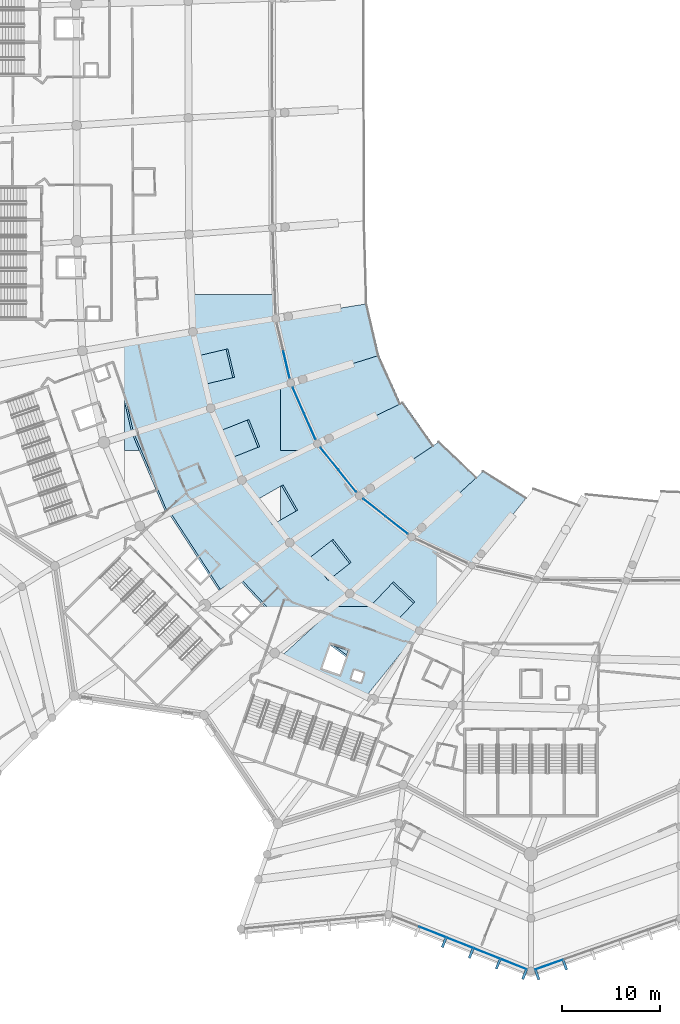
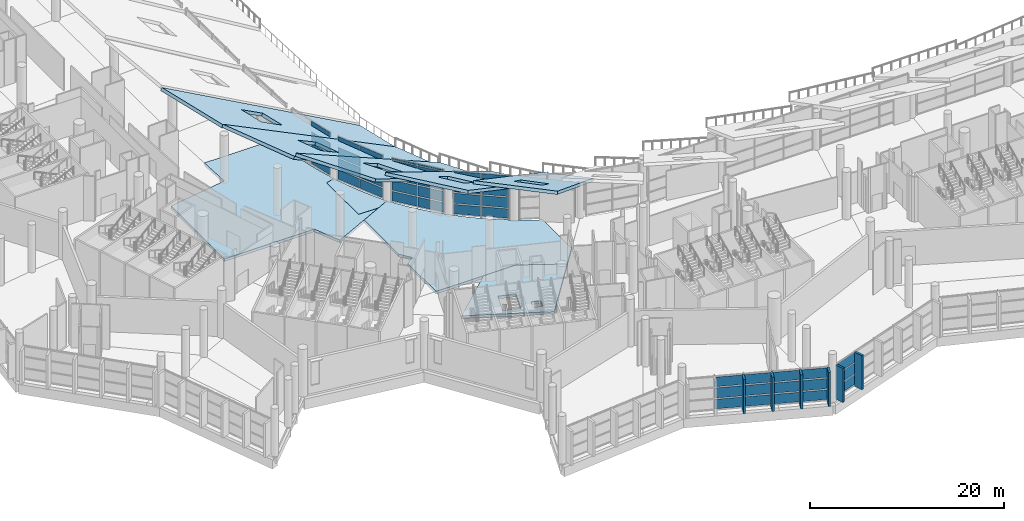
# One storey, part 99 of 249: 47 plates, 9 slabs, 6 elements without a shape of their own.
"""IFC4 building model written with IfcOpenShell, lengths in metres."""

from ifc_helpers import new_model, si_unit, direction, frame, origin, origin_2d, place, context, subcontext, project, spatial, polyline, rectangle, outline, extrude, material, layer, layer_set, type_object, element, aggregate, save


model = new_model("IFC4")

# Units and contexts
model_context = context("Model", 3, precision=1e-05, world=origin(), true_north=direction((0.0, 1.0)))
body_context = subcontext(model_context, "Body", "Model", "MODEL_VIEW")
ifc_project = project(units=[si_unit("LENGTHUNIT", "METRE"), si_unit("AREAUNIT", "SQUARE_METRE"), si_unit("VOLUMEUNIT", "CUBIC_METRE"), si_unit("PLANEANGLEUNIT", "RADIAN"), si_unit("MASSUNIT", "GRAM", prefix="KILO")], contexts=[model_context])

# Site, building, storey
site_placement = place(None, origin())
site = spatial("IfcSite", under=ifc_project, at=site_placement, CompositionType="ELEMENT")
building_placement = place(site_placement, origin())
building = spatial("IfcBuilding", under=site, at=building_placement, Name="Meseta Stadium", CompositionType="ELEMENT")
storey_placement = place(building_placement, frame((0.0, 0.0, 12.0)))
storey = spatial("IfcBuildingStorey", under=building, at=storey_placement, Name="L02", CompositionType="ELEMENT", Elevation=12.0)

# Curtain wall, plates
ifc_material_1 = material(Name="Aluminium", Category="aluminium")
ifc_layer_1 = layer(ifc_material_1, 0.199951171875)
ifc_layer_set_1 = layer_set([ifc_layer_1], Name="Suite glazing curtain wall")
curtain_wall_type_1 = type_object("IfcCurtainWallType", Name="Suite glazing curtain wall", PredefinedType="NOTDEFINED", material=ifc_layer_set_1)
curtain_wall_1_placement = place(storey_placement, origin())
curtain_wall_1 = element("IfcCurtainWall", 1, at=curtain_wall_1_placement, inside=storey, type_object=curtain_wall_type_1, Name="Suite glazing bay 37", PredefinedType="NOTDEFINED")
ifc_material_2 = material(Name="Glass", Category="glass")
ifc_layer_2 = layer(ifc_material_2, 0.035888671875)
ifc_layer_set_2 = layer_set([ifc_layer_2], Name="CW glass panel 36")
plate_type_1 = type_object("IfcPlateType", Name="CW glass panel 36", PredefinedType="CURTAIN_PANEL", material=ifc_layer_set_2)
plate_1_placement = place(storey_placement, frame((-63.40576171875, -55.19970703125, 0.14990234375), z_axis=(0.0, 0.0, 1.0), x_axis=(0.226148413492, -0.974092857522, 0.0)))
plate_1 = element("IfcPlate", 2, at=plate_1_placement, type_object=plate_type_1, Name="CWS panel 2.1", PredefinedType="CURTAIN_PANEL", context=body_context, shape_type="SweptSolid", body=[
    extrude(rectangle(XDim=2.830322265625, YDim=0.035888671875, at=origin_2d()), origin(), (0.0, 0.0, 1.0), 1.1875),
])
plate_2_placement = place(storey_placement, frame((-63.40576171875, -55.19970703125, 1.4873046875), z_axis=(0.0, 0.0, 1.0), x_axis=(0.226148413492, -0.974092857522, 0.0)))
plate_2 = element("IfcPlate", 3, at=plate_2_placement, type_object=plate_type_1, Name="CWS panel 2.2", PredefinedType="CURTAIN_PANEL", context=body_context, shape_type="SweptSolid", body=[
    extrude(rectangle(XDim=2.830322265625, YDim=0.035888671875, at=origin_2d()), origin(), (0.0, 0.0, 1.0), 1.262451171875),
])
plate_3_placement = place(storey_placement, frame((-63.40576171875, -55.19970703125, 2.89990234375), z_axis=(0.0, 0.0, 1.0), x_axis=(0.226148413492, -0.974092857522, 0.0)))
plate_3 = element("IfcPlate", 4, at=plate_3_placement, type_object=plate_type_1, Name="CWS panel 2.3", PredefinedType="CURTAIN_PANEL", context=body_context, shape_type="SweptSolid", body=[
    extrude(rectangle(XDim=2.830322265625, YDim=0.035888671875, at=origin_2d()), origin(), (0.0, 0.0, 1.0), 1.262451171875),
])
plate_4_placement = place(storey_placement, frame((-63.40576171875, -55.19970703125, 4.3125), z_axis=(0.0, 0.0, 1.0), x_axis=(0.226148413492, -0.974092857522, 0.0)))
plate_4 = element("IfcPlate", 5, at=plate_4_placement, type_object=plate_type_1, Name="CWS panel 2.4", PredefinedType="CURTAIN_PANEL", context=body_context, shape_type="SweptSolid", body=[
    extrude(rectangle(XDim=2.830322265625, YDim=0.035888671875, at=origin_2d()), origin(), (0.0, 0.0, 1.0), 1.1875),
])
aggregate(curtain_wall_1, [plate_1, plate_2, plate_3, plate_4])

curtain_wall_2_placement = place(storey_placement, origin())
curtain_wall_2 = element("IfcCurtainWall", 6, at=curtain_wall_2_placement, inside=storey, type_object=curtain_wall_type_1, Name="Suite glazing bay 38", PredefinedType="NOTDEFINED")
plate_5_placement = place(storey_placement, frame((-62.1748046875, -58.895751953125, 0.14990234375), z_axis=(0.0, 0.0, 1.0), x_axis=(0.402983317466, -0.915207323968, 0.0)))
plate_5 = element("IfcPlate", 7, at=plate_5_placement, type_object=plate_type_1, Name="CWS panel 1.1", PredefinedType="CURTAIN_PANEL", context=body_context, shape_type="SweptSolid", body=[
    extrude(rectangle(XDim=2.8310546875, YDim=0.035888671875, at=origin_2d()), origin(), (0.0, 0.0, 1.0), 1.1875),
])
plate_6_placement = place(storey_placement, frame((-62.1748046875, -58.895751953125, 1.4873046875), z_axis=(0.0, 0.0, 1.0), x_axis=(0.402983317466, -0.915207323968, 0.0)))
plate_6 = element("IfcPlate", 8, at=plate_6_placement, type_object=plate_type_1, Name="CWS panel 1.2", PredefinedType="CURTAIN_PANEL", context=body_context, shape_type="SweptSolid", body=[
    extrude(rectangle(XDim=2.8310546875, YDim=0.035888671875, at=origin_2d()), origin(), (0.0, 0.0, 1.0), 1.262451171875),
])
plate_7_placement = place(storey_placement, frame((-62.1748046875, -58.895751953125, 2.89990234375), z_axis=(0.0, 0.0, 1.0), x_axis=(0.402983317466, -0.915207323968, 0.0)))
plate_7 = element("IfcPlate", 9, at=plate_7_placement, type_object=plate_type_1, Name="CWS panel 1.3", PredefinedType="CURTAIN_PANEL", context=body_context, shape_type="SweptSolid", body=[
    extrude(rectangle(XDim=2.8310546875, YDim=0.035888671875, at=origin_2d()), origin(), (0.0, 0.0, 1.0), 1.262451171875),
])
plate_8_placement = place(storey_placement, frame((-62.1748046875, -58.895751953125, 4.3125), z_axis=(0.0, 0.0, 1.0), x_axis=(0.402983317466, -0.915207323968, 0.0)))
plate_8 = element("IfcPlate", 10, at=plate_8_placement, type_object=plate_type_1, Name="CWS panel 1.4", PredefinedType="CURTAIN_PANEL", context=body_context, shape_type="SweptSolid", body=[
    extrude(rectangle(XDim=2.8310546875, YDim=0.035888671875, at=origin_2d()), origin(), (0.0, 0.0, 1.0), 1.1875),
])
plate_9_placement = place(storey_placement, frame((-61.009765625, -61.54150390625, 0.14990234375), z_axis=(0.0, 0.0, 1.0), x_axis=(0.402983317466, -0.915207323968, 0.0)))
plate_9 = element("IfcPlate", 11, at=plate_9_placement, type_object=plate_type_1, Name="CWS panel 2.1", PredefinedType="CURTAIN_PANEL", context=body_context, shape_type="SweptSolid", body=[
    extrude(rectangle(XDim=2.8310546875, YDim=0.035888671875, at=origin_2d()), origin(), (0.0, 0.0, 1.0), 1.1875),
])
plate_10_placement = place(storey_placement, frame((-61.009765625, -61.54150390625, 1.4873046875), z_axis=(0.0, 0.0, 1.0), x_axis=(0.402983317466, -0.915207323968, 0.0)))
plate_10 = element("IfcPlate", 12, at=plate_10_placement, type_object=plate_type_1, Name="CWS panel 2.2", PredefinedType="CURTAIN_PANEL", context=body_context, shape_type="SweptSolid", body=[
    extrude(rectangle(XDim=2.8310546875, YDim=0.035888671875, at=origin_2d()), origin(), (0.0, 0.0, 1.0), 1.262451171875),
])
plate_11_placement = place(storey_placement, frame((-61.009765625, -61.54150390625, 2.89990234375), z_axis=(0.0, 0.0, 1.0), x_axis=(0.402983317466, -0.915207323968, 0.0)))
plate_11 = element("IfcPlate", 13, at=plate_11_placement, type_object=plate_type_1, Name="CWS panel 2.3", PredefinedType="CURTAIN_PANEL", context=body_context, shape_type="SweptSolid", body=[
    extrude(rectangle(XDim=2.8310546875, YDim=0.035888671875, at=origin_2d()), origin(), (0.0, 0.0, 1.0), 1.262451171875),
])
plate_12_placement = place(storey_placement, frame((-61.009765625, -61.54150390625, 4.3125), z_axis=(0.0, 0.0, 1.0), x_axis=(0.402983317466, -0.915207323968, 0.0)))
plate_12 = element("IfcPlate", 14, at=plate_12_placement, type_object=plate_type_1, Name="CWS panel 2.4", PredefinedType="CURTAIN_PANEL", context=body_context, shape_type="SweptSolid", body=[
    extrude(rectangle(XDim=2.8310546875, YDim=0.035888671875, at=origin_2d()), origin(), (0.0, 0.0, 1.0), 1.1875),
])
aggregate(curtain_wall_2, [plate_5, plate_6, plate_7, plate_8, plate_9, plate_10, plate_11, plate_12])

curtain_wall_3_placement = place(storey_placement, origin())
curtain_wall_3 = element("IfcCurtainWall", 15, at=curtain_wall_3_placement, inside=storey, type_object=curtain_wall_type_1, Name="Suite glazing bay 39", PredefinedType="NOTDEFINED")
plate_13_placement = place(storey_placement, frame((-58.986572265625, -64.867919921875, 0.14990234375), z_axis=(0.0, 0.0, 1.0), x_axis=(0.626460054791, -0.779453526357, 0.0)))
plate_13 = element("IfcPlate", 16, at=plate_13_placement, type_object=plate_type_1, Name="CWS panel 1.1", PredefinedType="CURTAIN_PANEL", context=body_context, shape_type="SweptSolid", body=[
    extrude(rectangle(XDim=2.84130859375, YDim=0.035888671875, at=origin_2d()), origin(), (0.0, 0.0, 1.0), 1.1875),
])
plate_14_placement = place(storey_placement, frame((-58.986572265625, -64.867919921875, 1.4873046875), z_axis=(0.0, 0.0, 1.0), x_axis=(0.626460054791, -0.779453526357, 0.0)))
plate_14 = element("IfcPlate", 17, at=plate_14_placement, type_object=plate_type_1, Name="CWS panel 1.2", PredefinedType="CURTAIN_PANEL", context=body_context, shape_type="SweptSolid", body=[
    extrude(rectangle(XDim=2.84130859375, YDim=0.035888671875, at=origin_2d()), origin(), (0.0, 0.0, 1.0), 1.262451171875),
])
plate_15_placement = place(storey_placement, frame((-58.986572265625, -64.867919921875, 2.89990234375), z_axis=(0.0, 0.0, 1.0), x_axis=(0.626460054791, -0.779453526357, 0.0)))
plate_15 = element("IfcPlate", 18, at=plate_15_placement, type_object=plate_type_1, Name="CWS panel 1.3", PredefinedType="CURTAIN_PANEL", context=body_context, shape_type="SweptSolid", body=[
    extrude(rectangle(XDim=2.84130859375, YDim=0.035888671875, at=origin_2d()), origin(), (0.0, 0.0, 1.0), 2.332275390625),
])
plate_16_placement = place(storey_placement, frame((-58.986572265625, -64.867919921875, 5.38232421875), z_axis=(0.0, 0.0, 1.0), x_axis=(0.626460054791, -0.779453526357, 0.0)))
plate_16 = element("IfcPlate", 19, at=plate_16_placement, type_object=plate_type_1, Name="CWS panel 1.4", PredefinedType="CURTAIN_PANEL", context=body_context, shape_type="SweptSolid", body=[
    extrude(rectangle(XDim=2.84130859375, YDim=0.035888671875, at=origin_2d()), origin(), (0.0, 0.0, 1.0), 0.11767578125),
])
plate_17_placement = place(storey_placement, frame((-57.1689453125, -67.12939453125, 0.14990234375), z_axis=(0.0, 0.0, 1.0), x_axis=(0.626460054791, -0.779453526357, 0.0)))
plate_17 = element("IfcPlate", 20, at=plate_17_placement, type_object=plate_type_1, Name="CWS panel 2.1", PredefinedType="CURTAIN_PANEL", context=body_context, shape_type="SweptSolid", body=[
    extrude(rectangle(XDim=2.84130859375, YDim=0.035888671875, at=origin_2d()), origin(), (0.0, 0.0, 1.0), 1.1875),
])
plate_18_placement = place(storey_placement, frame((-57.1689453125, -67.12939453125, 1.4873046875), z_axis=(0.0, 0.0, 1.0), x_axis=(0.626460054791, -0.779453526357, 0.0)))
plate_18 = element("IfcPlate", 21, at=plate_18_placement, type_object=plate_type_1, Name="CWS panel 2.2", PredefinedType="CURTAIN_PANEL", context=body_context, shape_type="SweptSolid", body=[
    extrude(rectangle(XDim=2.84130859375, YDim=0.035888671875, at=origin_2d()), origin(), (0.0, 0.0, 1.0), 1.262451171875),
])
plate_19_placement = place(storey_placement, frame((-57.1689453125, -67.12939453125, 2.89990234375), z_axis=(0.0, 0.0, 1.0), x_axis=(0.626460054791, -0.779453526357, 0.0)))
plate_19 = element("IfcPlate", 22, at=plate_19_placement, type_object=plate_type_1, Name="CWS panel 2.3", PredefinedType="CURTAIN_PANEL", context=body_context, shape_type="SweptSolid", body=[
    extrude(rectangle(XDim=2.84130859375, YDim=0.035888671875, at=origin_2d()), origin(), (0.0, 0.0, 1.0), 2.332275390625),
])
plate_20_placement = place(storey_placement, frame((-57.1689453125, -67.12939453125, 5.38232421875), z_axis=(0.0, 0.0, 1.0), x_axis=(0.626460054791, -0.779453526357, 0.0)))
plate_20 = element("IfcPlate", 23, at=plate_20_placement, type_object=plate_type_1, Name="CWS panel 2.4", PredefinedType="CURTAIN_PANEL", context=body_context, shape_type="SweptSolid", body=[
    extrude(rectangle(XDim=2.84130859375, YDim=0.035888671875, at=origin_2d()), origin(), (0.0, 0.0, 1.0), 0.11767578125),
])
aggregate(curtain_wall_3, [plate_13, plate_14, plate_15, plate_16, plate_17, plate_18, plate_19, plate_20])

curtain_wall_4_placement = place(storey_placement, origin())
curtain_wall_4 = element("IfcCurtainWall", 24, at=curtain_wall_4_placement, inside=storey, type_object=curtain_wall_type_1, Name="Suite glazing bay 40", PredefinedType="NOTDEFINED")
plate_21_placement = place(storey_placement, frame((-54.385498046875, -69.88330078125, 0.14990234375), z_axis=(0.0, 0.0, 1.0), x_axis=(0.785434917158, -0.61894425509, 0.0)))
plate_21 = element("IfcPlate", 25, at=plate_21_placement, type_object=plate_type_1, Name="CWS panel 1.1", PredefinedType="CURTAIN_PANEL", context=body_context, shape_type="SweptSolid", body=[
    extrude(rectangle(XDim=2.83349609375, YDim=0.035888671875, at=origin_2d()), origin(), (0.0, 0.0, 1.0), 1.1875),
])
plate_22_placement = place(storey_placement, frame((-54.385498046875, -69.88330078125, 1.4873046875), z_axis=(0.0, 0.0, 1.0), x_axis=(0.785434917158, -0.61894425509, 0.0)))
plate_22 = element("IfcPlate", 26, at=plate_22_placement, type_object=plate_type_1, Name="CWS panel 1.2", PredefinedType="CURTAIN_PANEL", context=body_context, shape_type="SweptSolid", body=[
    extrude(rectangle(XDim=2.83349609375, YDim=0.035888671875, at=origin_2d()), origin(), (0.0, 0.0, 1.0), 1.262451171875),
])
plate_23_placement = place(storey_placement, frame((-54.385498046875, -69.88330078125, 2.89990234375), z_axis=(0.0, 0.0, 1.0), x_axis=(0.785434917158, -0.61894425509, 0.0)))
plate_23 = element("IfcPlate", 27, at=plate_23_placement, type_object=plate_type_1, Name="CWS panel 1.3", PredefinedType="CURTAIN_PANEL", context=body_context, shape_type="SweptSolid", body=[
    extrude(rectangle(XDim=2.83349609375, YDim=0.035888671875, at=origin_2d()), origin(), (0.0, 0.0, 1.0), 2.60009765625),
])
plate_24_placement = place(storey_placement, frame((-52.11279296875, -71.67431640625, 0.14990234375), z_axis=(0.0, 0.0, 1.0), x_axis=(0.785434917158, -0.61894425509, 0.0)))
plate_24 = element("IfcPlate", 28, at=plate_24_placement, type_object=plate_type_1, Name="CWS panel 2.1", PredefinedType="CURTAIN_PANEL", context=body_context, shape_type="SweptSolid", body=[
    extrude(rectangle(XDim=2.83349609375, YDim=0.035888671875, at=origin_2d()), origin(), (0.0, 0.0, 1.0), 1.1875),
])
plate_25_placement = place(storey_placement, frame((-52.11279296875, -71.67431640625, 1.4873046875), z_axis=(0.0, 0.0, 1.0), x_axis=(0.785434917158, -0.61894425509, 0.0)))
plate_25 = element("IfcPlate", 29, at=plate_25_placement, type_object=plate_type_1, Name="CWS panel 2.2", PredefinedType="CURTAIN_PANEL", context=body_context, shape_type="SweptSolid", body=[
    extrude(rectangle(XDim=2.83349609375, YDim=0.035888671875, at=origin_2d()), origin(), (0.0, 0.0, 1.0), 1.262451171875),
])
plate_26_placement = place(storey_placement, frame((-52.11279296875, -71.67431640625, 2.89990234375), z_axis=(0.0, 0.0, 1.0), x_axis=(0.785434917158, -0.61894425509, 0.0)))
plate_26 = element("IfcPlate", 30, at=plate_26_placement, type_object=plate_type_1, Name="CWS panel 2.3", PredefinedType="CURTAIN_PANEL", context=body_context, shape_type="SweptSolid", body=[
    extrude(rectangle(XDim=2.83349609375, YDim=0.035888671875, at=origin_2d()), origin(), (0.0, 0.0, 1.0), 2.60009765625),
])
aggregate(curtain_wall_4, [plate_21, plate_22, plate_23, plate_24, plate_25, plate_26])

# Slabs
ifc_material_3 = material(Name="Concrete C40/50", Category="concrete")
ifc_layer_3 = layer(ifc_material_3, 0.35009765625)
ifc_layer_set_3 = layer_set([ifc_layer_3], Name="Floor slab 350")
slab_type_1 = type_object("IfcSlabType", Name="Floor slab 350", PredefinedType="FLOOR", material=ifc_layer_set_3)
slab_1_placement = place(storey_placement, frame((0.0, 0.0, -0.35009765625)))
element("IfcSlab", 31, at=slab_1_placement, inside=storey, type_object=slab_type_1, Name="Floor slab L02 sector 35 panel 10", PredefinedType="FLOOR", context=body_context, shape_type="SweptSolid", body=[
    extrude(outline(polyline([(-63.885009765625, -53.827392578125), (-64.12451171875, -52.718017578125), (-64.330322265625, -51.601806640625), (-64.501708984375, -50.479736328125), (-64.638427734375, -49.352783203125), (-64.740966796875, -48.221923828125), (-64.754150390625, -48.0), (-73.151123046875, -48.0), (-72.9921875, -51.84716796875), (-80.0, -52.975830078125), (-80.0, -64.0), (-69.297119140625, -64.0), (-67.972412109375, -67.057861328125), (-61.6142578125, -64.0), (-64.0, -64.0), (-64.0, -57.42919921875), (-62.963623046875, -57.1044921875), (-63.30419921875, -56.021484375), (-63.611328125, -54.928955078125), (-63.885009765625, -53.827392578125)])), origin(), (0.0, 0.0, 1.0), 0.35009765625),
])
slab_2_placement = place(storey_placement, frame((0.0, 0.0, -0.35009765625)))
element("IfcSlab", 32, at=slab_2_placement, inside=storey, type_object=slab_type_1, Name="Floor slab L02 sector 35 panel 16", PredefinedType="FLOOR", context=body_context, shape_type="SweptSolid", body=[
    extrude(outline(polyline([(-62.183837890625, -59.236328125), (-62.590087890625, -58.17626953125), (-62.963623046875, -57.1044921875), (-64.0, -57.42919921875), (-64.0, -64.0), (-61.6142578125, -64.0), (-60.22216796875, -63.33056640625), (-60.772705078125, -62.335693359375), (-61.274658203125, -61.31689453125), (-61.7451171875, -60.28369140625), (-62.183837890625, -59.236328125)])), origin(), (0.0, 0.0, 1.0), 0.35009765625),
])
slab_3_placement = place(storey_placement, frame((0.0, 0.0, -0.35009765625)))
element("IfcSlab", 33, at=slab_3_placement, inside=storey, type_object=slab_type_1, Name="Floor slab L02 sector 35 panel 17", PredefinedType="FLOOR", context=body_context, shape_type="SweptSolid", body=[
    extrude(outline(polyline([(-49.800048828125, -82.493896484375), (-47.787353515625, -80.0), (-48.0, -80.0), (-48.0, -74.306396484375), (-48.58642578125, -74.01611328125), (-49.589599609375, -73.47119140625), (-50.571533203125, -72.888916015625), (-51.53076171875, -72.269775390625), (-52.466064453125, -71.614990234375), (-53.375732421875, -70.925537109375), (-54.259033203125, -70.2021484375), (-55.1142578125, -69.446044921875), (-55.940185546875, -68.658203125), (-56.736083984375, -67.839599609375), (-57.50048828125, -66.99169921875), (-58.232177734375, -66.115478515625), (-58.930419921875, -65.21240234375), (-59.593994140625, -64.28369140625), (-60.22216796875, -63.33056640625), (-64.0, -65.1474609375), (-64.0, -72.251708984375), (-63.068115234375, -73.469970703125), (-64.0, -74.15673828125), (-64.0, -80.0), (-54.4716796875, -80.0), (-49.800048828125, -82.493896484375)])), origin(), (0.0, 0.0, 1.0), 0.35009765625),
])
slab_4_placement = place(storey_placement, frame((0.0, 0.0, -0.35009765625)))
element("IfcSlab", 34, at=slab_4_placement, inside=storey, type_object=slab_type_1, Name="Floor slab L02 sector 35 panel 18", PredefinedType="FLOOR", context=body_context, shape_type="SweptSolid", body=[
    extrude(outline(polyline([(-55.242919921875, -89.238037109375), (-49.800048828125, -82.493896484375), (-54.4716796875, -80.0), (-58.33984375, -80.0), (-63.932373046875, -85.119384765625), (-55.242919921875, -89.238037109375)]), holes=[polyline([(-58.876953125, -83.924072265625), (-57.08349609375, -84.551513671875), (-57.9423828125, -87.005615234375), (-59.735595703125, -86.378173828125), (-58.876953125, -83.924072265625)]), polyline([(-56.44873046875, -86.521728515625), (-55.45751953125, -86.86865234375), (-55.787841796875, -87.8125), (-56.779052734375, -87.4658203125), (-56.44873046875, -86.521728515625)])]), origin(), (0.0, 0.0, 1.0), 0.35009765625),
])

# Curtain wall, plates
ifc_material_4 = material(Name="Aluminium", Category="aluminium")
ifc_layer_4 = layer(ifc_material_4, 0.199951171875)
ifc_layer_set_4 = layer_set([ifc_layer_4], Name="Ring shopfront curtain wall")
curtain_wall_type_2 = type_object("IfcCurtainWallType", Name="Ring shopfront curtain wall", PredefinedType="NOTDEFINED", material=ifc_layer_set_4)
curtain_wall_5_placement = place(storey_placement, origin())
curtain_wall_5 = element("IfcCurtainWall", 35, at=curtain_wall_5_placement, inside=storey, type_object=curtain_wall_type_2, Name="Ring glazing L02 F43", PredefinedType="NOTDEFINED")
ifc_material_5 = material(Name="Glass", Category="glass")
ifc_layer_5 = layer(ifc_material_5, 0.035888671875)
ifc_layer_set_5 = layer_set([ifc_layer_5], Name="Ring CW glass panel 36")
plate_type_2 = type_object("IfcPlateType", Name="Ring CW glass panel 36", PredefinedType="CURTAIN_PANEL", material=ifc_layer_set_5)
plate_27_placement = place(storey_placement, frame((-48.410400390625, -113.406005859375, 0.14990234375), z_axis=(0.0, 0.0, 1.0), x_axis=(0.929646142614, -0.368453592088, 0.0)))
plate_27 = element("IfcPlate", 36, at=plate_27_placement, type_object=plate_type_2, Name="CWR1 panel 2.1", PredefinedType="CURTAIN_PANEL", context=body_context, shape_type="SweptSolid", body=[
    extrude(rectangle(XDim=2.9228515625, YDim=0.035888671875, at=origin_2d()), origin(), (0.0, 0.0, 1.0), 1.208251953125),
])
plate_28_placement = place(storey_placement, frame((-48.410400390625, -113.406005859375, 1.50830078125), z_axis=(0.0, 0.0, 1.0), x_axis=(0.929646142614, -0.368453592088, 0.0)))
plate_28 = element("IfcPlate", 37, at=plate_28_placement, type_object=plate_type_2, Name="CWR1 panel 2.2", PredefinedType="CURTAIN_PANEL", context=body_context, shape_type="SweptSolid", body=[
    extrude(rectangle(XDim=2.9228515625, YDim=0.035888671875, at=origin_2d()), origin(), (0.0, 0.0, 1.0), 1.283447265625),
])
plate_29_placement = place(storey_placement, frame((-48.410400390625, -113.406005859375, 2.94189453125), z_axis=(0.0, 0.0, 1.0), x_axis=(0.929646142614, -0.368453592088, 0.0)))
plate_29 = element("IfcPlate", 38, at=plate_29_placement, type_object=plate_type_2, Name="CWR1 panel 2.3", PredefinedType="CURTAIN_PANEL", context=body_context, shape_type="SweptSolid", body=[
    extrude(rectangle(XDim=2.9228515625, YDim=0.035888671875, at=origin_2d()), origin(), (0.0, 0.0, 1.0), 1.208251953125),
])
plate_30_placement = place(storey_placement, frame((-45.637451171875, -114.505126953125, 0.14990234375), z_axis=(0.0, 0.0, 1.0), x_axis=(0.929646142614, -0.368453592088, 0.0)))
plate_30 = element("IfcPlate", 39, at=plate_30_placement, type_object=plate_type_2, Name="CWR1 panel 3.1", PredefinedType="CURTAIN_PANEL", context=body_context, shape_type="SweptSolid", body=[
    extrude(rectangle(XDim=2.9228515625, YDim=0.035888671875, at=origin_2d()), origin(), (0.0, 0.0, 1.0), 1.208251953125),
])
plate_31_placement = place(storey_placement, frame((-45.637451171875, -114.505126953125, 1.50830078125), z_axis=(0.0, 0.0, 1.0), x_axis=(0.929646142614, -0.368453592088, 0.0)))
plate_31 = element("IfcPlate", 40, at=plate_31_placement, type_object=plate_type_2, Name="CWR1 panel 3.2", PredefinedType="CURTAIN_PANEL", context=body_context, shape_type="SweptSolid", body=[
    extrude(rectangle(XDim=2.9228515625, YDim=0.035888671875, at=origin_2d()), origin(), (0.0, 0.0, 1.0), 1.283447265625),
])
plate_32_placement = place(storey_placement, frame((-45.637451171875, -114.505126953125, 2.94189453125), z_axis=(0.0, 0.0, 1.0), x_axis=(0.929646142614, -0.368453592088, 0.0)))
plate_32 = element("IfcPlate", 41, at=plate_32_placement, type_object=plate_type_2, Name="CWR1 panel 3.3", PredefinedType="CURTAIN_PANEL", context=body_context, shape_type="SweptSolid", body=[
    extrude(rectangle(XDim=2.9228515625, YDim=0.035888671875, at=origin_2d()), origin(), (0.0, 0.0, 1.0), 1.208251953125),
])
plate_33_placement = place(storey_placement, frame((-42.864501953125, -115.60400390625, 0.14990234375), z_axis=(0.0, 0.0, 1.0), x_axis=(0.929646142614, -0.368453592088, 0.0)))
plate_33 = element("IfcPlate", 42, at=plate_33_placement, type_object=plate_type_2, Name="CWR1 panel 4.1", PredefinedType="CURTAIN_PANEL", context=body_context, shape_type="SweptSolid", body=[
    extrude(rectangle(XDim=2.9228515625, YDim=0.035888671875, at=origin_2d()), origin(), (0.0, 0.0, 1.0), 1.208251953125),
])
plate_34_placement = place(storey_placement, frame((-42.864501953125, -115.60400390625, 1.50830078125), z_axis=(0.0, 0.0, 1.0), x_axis=(0.929646142614, -0.368453592088, 0.0)))
plate_34 = element("IfcPlate", 43, at=plate_34_placement, type_object=plate_type_2, Name="CWR1 panel 4.2", PredefinedType="CURTAIN_PANEL", context=body_context, shape_type="SweptSolid", body=[
    extrude(rectangle(XDim=2.9228515625, YDim=0.035888671875, at=origin_2d()), origin(), (0.0, 0.0, 1.0), 1.283447265625),
])
plate_35_placement = place(storey_placement, frame((-42.864501953125, -115.60400390625, 2.94189453125), z_axis=(0.0, 0.0, 1.0), x_axis=(0.929646142614, -0.368453592088, 0.0)))
plate_35 = element("IfcPlate", 44, at=plate_35_placement, type_object=plate_type_2, Name="CWR1 panel 4.3", PredefinedType="CURTAIN_PANEL", context=body_context, shape_type="SweptSolid", body=[
    extrude(rectangle(XDim=2.9228515625, YDim=0.035888671875, at=origin_2d()), origin(), (0.0, 0.0, 1.0), 1.208251953125),
])
plate_36_placement = place(storey_placement, frame((-40.105712890625, -116.697509765625, 0.14990234375), z_axis=(0.0, 0.0, 1.0), x_axis=(0.929646142614, -0.368453592088, 0.0)))
plate_36 = element("IfcPlate", 45, at=plate_36_placement, type_object=plate_type_2, Name="CWR1 panel 5.1", PredefinedType="CURTAIN_PANEL", context=body_context, shape_type="SweptSolid", body=[
    extrude(rectangle(XDim=2.892822265625, YDim=0.035888671875, at=origin_2d()), origin(), (0.0, 0.0, 1.0), 1.208251953125),
])
plate_37_placement = place(storey_placement, frame((-40.105712890625, -116.697509765625, 1.50830078125), z_axis=(0.0, 0.0, 1.0), x_axis=(0.929646142614, -0.368453592088, 0.0)))
plate_37 = element("IfcPlate", 46, at=plate_37_placement, type_object=plate_type_2, Name="CWR1 panel 5.2", PredefinedType="CURTAIN_PANEL", context=body_context, shape_type="SweptSolid", body=[
    extrude(rectangle(XDim=2.892822265625, YDim=0.035888671875, at=origin_2d()), origin(), (0.0, 0.0, 1.0), 1.283447265625),
])
plate_38_placement = place(storey_placement, frame((-40.105712890625, -116.697509765625, 2.94189453125), z_axis=(0.0, 0.0, 1.0), x_axis=(0.929646142614, -0.368453592088, 0.0)))
plate_38 = element("IfcPlate", 47, at=plate_38_placement, type_object=plate_type_2, Name="CWR1 panel 5.3", PredefinedType="CURTAIN_PANEL", context=body_context, shape_type="SweptSolid", body=[
    extrude(rectangle(XDim=2.892822265625, YDim=0.035888671875, at=origin_2d()), origin(), (0.0, 0.0, 1.0), 1.208251953125),
])
aggregate(curtain_wall_5, [plate_27, plate_28, plate_29, plate_30, plate_31, plate_32, plate_33, plate_34, plate_35, plate_36, plate_37, plate_38])

curtain_wall_6_placement = place(storey_placement, origin())
curtain_wall_6 = element("IfcCurtainWall", 48, at=curtain_wall_6_placement, inside=storey, type_object=curtain_wall_type_2, Name="Ring glazing L02 F44", PredefinedType="NOTDEFINED")
plate_39_placement = place(storey_placement, frame((-36.48388671875, -116.748779296875, 0.14990234375), z_axis=(0.0, 0.0, 1.0), x_axis=(0.943218009999, 0.332174330154, 0.0)))
plate_39 = element("IfcPlate", 49, at=plate_39_placement, type_object=plate_type_2, Name="CWR1 panel 1.1", PredefinedType="CURTAIN_PANEL", context=body_context, shape_type="SweptSolid", body=[
    extrude(rectangle(XDim=3.001220703125, YDim=0.035888671875, at=origin_2d()), origin(), (0.0, 0.0, 1.0), 1.208251953125),
])
plate_40_placement = place(storey_placement, frame((-36.48388671875, -116.748779296875, 1.50830078125), z_axis=(0.0, 0.0, 1.0), x_axis=(0.943218009999, 0.332174330154, 0.0)))
plate_40 = element("IfcPlate", 50, at=plate_40_placement, type_object=plate_type_2, Name="CWR1 panel 1.2", PredefinedType="CURTAIN_PANEL", context=body_context, shape_type="SweptSolid", body=[
    extrude(rectangle(XDim=3.001220703125, YDim=0.035888671875, at=origin_2d()), origin(), (0.0, 0.0, 1.0), 1.283447265625),
])
plate_41_placement = place(storey_placement, frame((-36.48388671875, -116.748779296875, 2.94189453125), z_axis=(0.0, 0.0, 1.0), x_axis=(0.943218009999, 0.332174330154, 0.0)))
plate_41 = element("IfcPlate", 51, at=plate_41_placement, type_object=plate_type_2, Name="CWR1 panel 1.3", PredefinedType="CURTAIN_PANEL", context=body_context, shape_type="SweptSolid", body=[
    extrude(rectangle(XDim=3.001220703125, YDim=0.035888671875, at=origin_2d()), origin(), (0.0, 0.0, 1.0), 1.208251953125),
])
aggregate(curtain_wall_6, [plate_39, plate_40, plate_41])

# Plates
ifc_material_6 = material(Name="Precast concrete C40/50", Category="concrete")
ifc_layer_6 = layer(ifc_material_6, 0.25)
ifc_layer_set_6 = layer_set([ifc_layer_6], Name="Ring brise-soleil fin 250x1000")
plate_type_3 = type_object("IfcPlateType", Name="Ring brise-soleil fin 250x1000", PredefinedType="USERDEFINED", material=ifc_layer_set_6)
for number, where, z_axis, x_axis, name in (
    (52, (-47.2451171875, -114.513427734375, 0.0), (0.0, 0.0, 1.0), (0.929647286469, -0.368450706012, 0.0), "Brise-soleil fin L02 F43.3"),
    (53, (-44.47216796875, -115.6123046875, 0.0), (0.0, 0.0, 1.0), (0.929647286469, -0.368450706012, 0.0), "Brise-soleil fin L02 F43.4"),
    (54, (-41.69921875, -116.71142578125, 0.0), (0.0, 0.0, 1.0), (0.929647286469, -0.368450706012, 0.0), "Brise-soleil fin L02 F43.5"),
    (55, (-38.99609375, -117.78271484375, 0.0), (0.0, 0.0, 1.0), (0.929647286469, -0.368450706012, 0.0), "Brise-soleil fin L02 F43.6"),
    (56, (-37.68603515625, -117.80810546875, 0.0), (0.0, 0.0, 1.0), (0.943217440256, 0.33217594795, 0.0), "Brise-soleil fin L02 F44.1"),
    (57, (-34.841064453125, -116.80615234375, 0.0), (0.0, 0.0, 1.0), (0.943217440256, 0.33217594795, 0.0), "Brise-soleil fin L02 F44.2"),
):
    element("IfcPlate", number, at=place(storey_placement, frame(where, z_axis=z_axis, x_axis=x_axis)), inside=storey, type_object=plate_type_3, Name=name, ObjectType="FIN", PredefinedType="USERDEFINED", context=body_context, shape_type="SweptSolid", body=[
        extrude(rectangle(XDim=0.25, YDim=1.0, at=origin_2d()), origin(), (0.0, 0.0, 1.0), 4.300048828125),
    ])

# Slabs
ifc_material_7 = material(Name="Concrete C40/50", Category="concrete")
ifc_layer_7 = layer(ifc_material_7, 0.35009765625)
ifc_layer_set_7 = layer_set([ifc_layer_7], Name="Seating tier 350")
slab_type_2 = type_object("IfcSlabType", Name="Seating tier 350", PredefinedType="USERDEFINED", material=ifc_layer_set_7)
slab_5_placement = place(storey_placement, frame((-55.12255859375, -48.96923828125, -1.0078125), z_axis=(0.515821110496, 0.121769579744, 0.847998084559), x_axis=(-0.837820966186, -0.134936000468, 0.529006903922)))
element("IfcSlab", 58, at=slab_5_placement, inside=storey, type_object=slab_type_2, Name="Stand upper tier bay 38", ObjectType="SEATING TIER", PredefinedType="USERDEFINED", context=body_context, shape_type="SweptSolid", body=[
    extrude(outline(polyline([(0.0, 0.0), (31.10924748039256, 4.440892098500626e-16), (30.5743301511458, 9.219142906401414), (-0.30291200476163493, 5.424194082260034), (0.0, 0.0)]), holes=[polyline([(17.550048828125, 2.293212890625), (21.0810546875, 2.50927734375), (20.89794921875, 5.503662109375), (17.366455078125, 5.287353515625), (17.550048828125, 2.293212890625)])]), origin(), (0.0, 0.0, -1.0), 0.35009765625),
])
slab_6_placement = place(storey_placement, frame((-53.898681640625, -54.26220703125, -0.923095703125), z_axis=(0.493034340941, 0.194461392393, 0.847998765047), x_axis=(-0.809745858171, -0.253882442357, 0.529013563756)))
element("IfcSlab", 59, at=slab_6_placement, inside=storey, type_object=slab_type_2, Name="Stand upper tier bay 39", ObjectType="SEATING TIER", PredefinedType="USERDEFINED", context=body_context, shape_type="SweptSolid", body=[
    extrude(outline(polyline([(0.0, 0.0), (31.109705166816173, 1.9984014443252818e-15), (30.255451052152452, 9.203350171180293), (-0.620510942257601, 5.400378976332084), (0.0, 0.0)]), holes=[polyline([(17.390625, 2.283447265625), (20.921875, 2.498779296875), (20.7392578125, 5.493408203125), (17.2080078125, 5.27783203125), (17.390625, 2.283447265625)])]), origin(), (0.0, 0.0, -1.0), 0.35009765625),
])
slab_7_placement = place(storey_placement, frame((-51.4111328125, -59.093017578125, -0.839599609375), z_axis=(0.459888351399, 0.263447583447, 0.847996506492), x_axis=(-0.764764867864, -0.367801391748, 0.52901496492)))
element("IfcSlab", 60, at=slab_7_placement, inside=storey, type_object=slab_type_2, Name="Stand upper tier bay 40", ObjectType="SEATING TIER", PredefinedType="USERDEFINED", context=body_context, shape_type="SweptSolid", body=[
    extrude(outline(polyline([(0.0, 0.0), (31.10961498673099, 4.440892098500626e-16), (29.939759782341948, 9.154343169028085), (-0.9318573982103479, 5.323518700752245), (0.0, 0.0)]), holes=[polyline([(17.468505859375, 2.267333984375), (20.999755859375, 2.483154296875), (20.81689453125, 5.4775390625), (17.28564453125, 5.261962890625), (17.468505859375, 2.267333984375)])]), origin(), (0.0, 0.0, -1.0), 0.35009765625),
])
slab_8_placement = place(storey_placement, frame((-47.720947265625, -63.109619140625, -0.758544921875), z_axis=(0.416651214715, 0.327561343336, 0.848000785158), x_axis=(-0.703364046882, -0.474810279846, 0.528993587586)))
element("IfcSlab", 61, at=slab_8_placement, inside=storey, type_object=slab_type_2, Name="Stand upper tier bay 41", ObjectType="SEATING TIER", PredefinedType="USERDEFINED", context=body_context, shape_type="SweptSolid", body=[
    extrude(outline(polyline([(0.0, 0.0), (29.223773050212593, -8.881784197001252e-16), (27.76208005655127, 8.82634556614459), (-1.2318050596223218, 5.179455447740823), (0.0, 0.0)]), holes=[polyline([(17.317138671875, 2.2099609375), (20.84814453125, 2.427490234375), (20.663818359375, 5.421875), (17.1328125, 5.204345703125), (17.317138671875, 2.2099609375)])]), origin(), (0.0, 0.0, -1.0), 0.35009765625),
])
slab_9_placement = place(storey_placement, frame((-43.15869140625, -66.102783203125, -0.681396484375), z_axis=(0.363631466072, 0.385578691905, 0.84799836629), x_axis=(-0.625963153254, -0.573026646343, 0.528971259474)))
element("IfcSlab", 62, at=slab_9_placement, inside=storey, type_object=slab_type_2, Name="Stand upper tier bay 42", ObjectType="SEATING TIER", PredefinedType="USERDEFINED", context=body_context, shape_type="SweptSolid", body=[
    extrude(outline(polyline([(0.0, 0.0), (28.28055076328011, 7.771561172376096e-16), (26.534692005527933, 8.579069425042743), (-1.5125177206102456, 4.9781827773906295), (0.0, 0.0)]), holes=[polyline([(17.173095703125, 2.13720703125), (20.703857421875, 2.357666015625), (20.517333984375, 5.3515625), (16.986328125, 5.13134765625), (17.173095703125, 2.13720703125)])]), origin(), (0.0, 0.0, -1.0), 0.35009765625),
])

save(model, "model.ifc")
